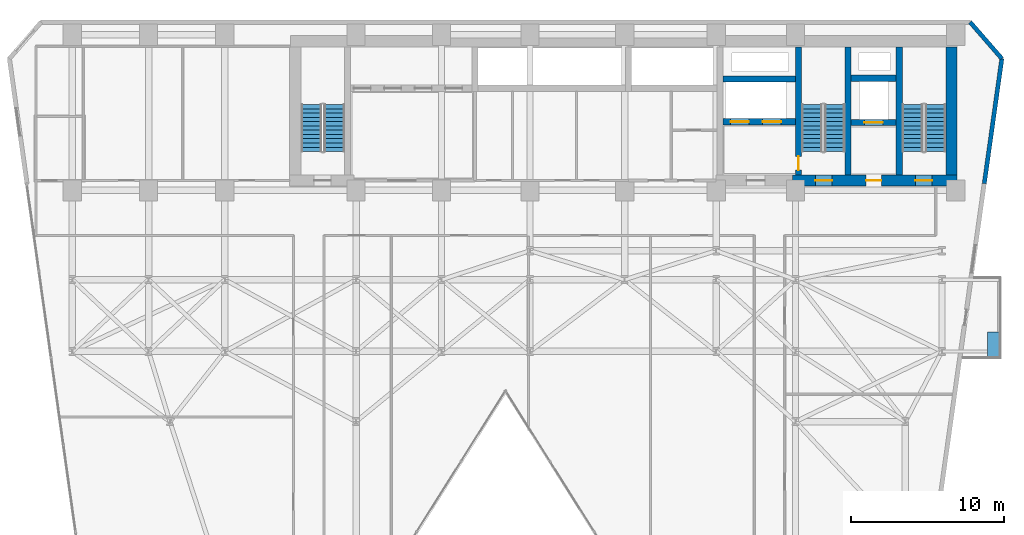
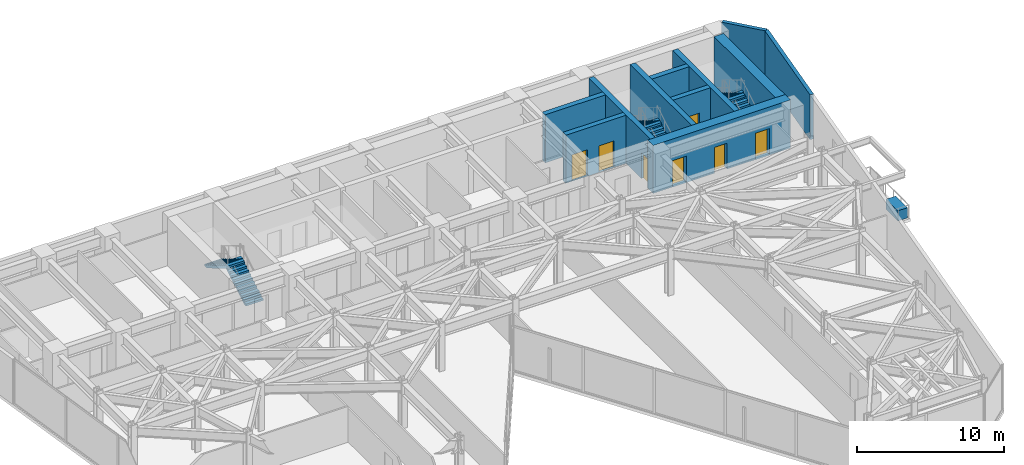
# One storey, part 21 of 24: 11 walls, 7 doors, 6 stair flights, 1 discrete accessory, 7 openings, 3 elements without a shape of their own.
"""IFC4 building model written with IfcOpenShell, lengths in metres."""

from ifc_helpers import new_model, si_unit, direction, frame, frame_2d, origin, origin_2d, place, context, subcontext, project, spatial, polyline, rectangle, outline, extrude, material, layer, layer_set, type_object, element, fill, aggregate, save


model = new_model("IFC4")

# Units and contexts
model_context = context("Model", 3, precision=1e-05, world=origin(), true_north=direction((0.0, 1.0)))
body_context = subcontext(model_context, "Body", "Model", "MODEL_VIEW")
ifc_project = project(units=[si_unit("LENGTHUNIT", "METRE"), si_unit("AREAUNIT", "SQUARE_METRE"), si_unit("VOLUMEUNIT", "CUBIC_METRE"), si_unit("PLANEANGLEUNIT", "RADIAN"), si_unit("MASSUNIT", "GRAM", prefix="KILO")], contexts=[model_context])

# Site, building, storey
site_placement = place(None, origin())
site = spatial("IfcSite", under=ifc_project, at=site_placement, CompositionType="ELEMENT")
building_placement = place(site_placement, origin())
building = spatial("IfcBuilding", under=site, at=building_placement, Name="Kravanh Interchange Tower", CompositionType="ELEMENT")
storey_placement = place(building_placement, frame((0.0, 0.0, 45.5)))
storey = spatial("IfcBuildingStorey", under=building, at=storey_placement, Name="L10", CompositionType="ELEMENT", Elevation=45.5)

# Walls
ifc_material_1 = material(Name="Concrete C80/95", Category="concrete")
ifc_layer_1 = layer(ifc_material_1, 0.39990234375)
ifc_layer_set_1 = layer_set([ifc_layer_1], Name="Core Shear Wall Concrete C80/95 400mm")
wall_type_1 = type_object("IfcWallType", Name="Core Shear Wall Concrete C80/95 400mm", PredefinedType="SHEAR", material=ifc_layer_set_1)
for number, where, z_axis, x_axis, name in (
    (1, (62.800048828125, 38.375, 0.0), (0.0, 0.0, 1.0), (0.0, 1.0, 0.0), "L10 Stair ST1 West Shear Wall"),
    (2, (59.449951171875, 38.375, 0.0), (0.0, 0.0, 1.0), (0.0, 1.0, 0.0), "L10 Stair ST2 East Shear Wall"),
):
    element("IfcWall", number, at=place(storey_placement, frame(where, z_axis=z_axis, x_axis=x_axis)), inside=storey, type_object=wall_type_1, Name=name, PredefinedType="SHEAR", context=body_context, shape_type="SweptSolid", body=[
        extrude(rectangle(XDim=8.375, YDim=0.39990234375, at=frame_2d((4.1875, 0.0))), origin(), (0.0, 0.0, 1.0), 4.0),
    ])

# Wall, opening, door
wall_1_placement = place(storey_placement, frame((56.199951171875, 38.375, 0.0), z_axis=(0.0, 0.0, 1.0), x_axis=(0.0, 1.0, 0.0)))
wall_1 = element("IfcWall", 3, at=wall_1_placement, inside=storey, type_object=wall_type_1, Name="L10 Stair ST2 West Shear Wall", PredefinedType="SHEAR", context=body_context, shape_type="SweptSolid", body=[
    extrude(rectangle(XDim=8.375, YDim=0.39990234375, at=frame_2d((4.1875, 0.0))), origin(), (0.0, 0.0, 1.0), 4.0),
])
opening_1_placement = place(wall_1_placement, frame((0.304931640625, 0.0, 0.0)))
opening_1 = element("IfcOpeningElement", 4, at=opening_1_placement, cuts=wall_1, Name="Opening D-STAIR-90", PredefinedType="OPENING", context=body_context, shape_type="SweptSolid", body=[
    extrude(rectangle(XDim=0.89990234375, YDim=2.14990234375, at=frame_2d((0.449951171875, 1.074951171875))), frame((0.0, 0.2099609375, 0.0), z_axis=(0.0, -1.0, 0.0), x_axis=(1.0, 0.0, 0.0)), (0.0, 0.0, 1.0), 0.419921875),
])
ifc_material_2 = material(Name="Structural Steel S355", Category="steel")
door_type_1 = type_object("IfcDoorType", Name="Fire-Rated Stair Lobby Door 900x2150", OperationType="NOTDEFINED", PredefinedType="DOOR", material=ifc_material_2)
door_1_placement = place(opening_1_placement, origin())
door_1 = element("IfcDoor", 5, at=door_1_placement, inside=storey, type_object=door_type_1, Name="L10 Firefighting Lobby to Stair ST2 Door", OperationType="SINGLE_SWING_LEFT", OverallHeight=2.14990234375, OverallWidth=0.89990234375, PredefinedType="DOOR", context=body_context, shape_type="SweptSolid", body=[
    extrude(rectangle(XDim=0.89990234375, YDim=2.14990234375, at=frame_2d((0.449951171875, 1.074951171875))), frame((0.0, 0.02490234375, 0.0), z_axis=(0.0, -1.0, 0.0), x_axis=(1.0, 0.0, 0.0)), (0.0, 0.0, 1.0), 0.050048828125),
])
fill(opening_1, door_1)

wall_2_placement = place(storey_placement, frame((59.64990234375, 41.800048828125, 0.0), z_axis=(0.0, 0.0, 1.0), x_axis=(1.0, 0.0, 0.0)))
wall_2 = element("IfcWall", 6, at=wall_2_placement, inside=storey, type_object=wall_type_1, Name="L10 Service Lift Shaft South Wall", PredefinedType="SHEAR", context=body_context, shape_type="SweptSolid", body=[
    extrude(rectangle(XDim=2.9501953125, YDim=0.39990234375, at=frame_2d((1.47509765625, 0.0))), origin(), (0.0, 0.0, 1.0), 4.0),
])
opening_2_placement = place(wall_2_placement, frame((0.8701171875, 0.0, 0.0)))
opening_2 = element("IfcOpeningElement", 7, at=opening_2_placement, cuts=wall_2, Name="Opening LD02", PredefinedType="OPENING", context=body_context, shape_type="SweptSolid", body=[
    extrude(rectangle(XDim=1.199951171875, YDim=2.199951171875, at=frame_2d((0.60009765625, 1.10009765625))), frame((0.0, 0.2099609375, 0.0), z_axis=(0.0, -1.0, 0.0), x_axis=(1.0, 0.0, 0.0)), (0.0, 0.0, 1.0), 0.419921875),
])
ifc_material_3 = material(Name="Stainless Steel 316", Category="steel")
door_type_2 = type_object("IfcDoorType", Name="Fire and Service Lift Sliding Landing Door 1200x2200", OperationType="DOUBLE_DOOR_SLIDING", PredefinedType="DOOR", material=ifc_material_3)
door_2_placement = place(opening_2_placement, origin())
door_2 = element("IfcDoor", 8, at=door_2_placement, inside=storey, type_object=door_type_2, Name="L10 Lift LS-01 Landing Door", OperationType="DOUBLE_DOOR_SLIDING", OverallHeight=2.199951171875, OverallWidth=1.199951171875, PredefinedType="DOOR", context=body_context, shape_type="SweptSolid", body=[
    extrude(rectangle(XDim=1.199951171875, YDim=2.199951171875, at=frame_2d((0.60009765625, 1.10009765625))), frame((0.0, 0.02490234375, 0.0), z_axis=(0.0, -1.0, 0.0), x_axis=(1.0, 0.0, 0.0)), (0.0, 0.0, 1.0), 0.050048828125),
])
fill(opening_2, door_2)

# Wall
wall_3_placement = place(storey_placement, frame((59.64990234375, 44.699951171875, 0.0), z_axis=(0.0, 0.0, 1.0), x_axis=(1.0, 0.0, 0.0)))
element("IfcWall", 9, at=wall_3_placement, inside=storey, type_object=wall_type_1, Name="L10 Service Lift Shaft North Wall", PredefinedType="SHEAR", context=body_context, shape_type="SweptSolid", body=[
    extrude(rectangle(XDim=2.9501953125, YDim=0.39990234375, at=frame_2d((1.47509765625, 0.0))), origin(), (0.0, 0.0, 1.0), 4.0),
])

# Wall, openings, doors
wall_4_placement = place(storey_placement, frame((51.25, 41.85009765625, 0.0), z_axis=(0.0, 0.0, 1.0), x_axis=(1.0, 0.0, 0.0)))
wall_4 = element("IfcWall", 10, at=wall_4_placement, inside=storey, type_object=wall_type_1, Name="L10 Fire Lift Shaft South Wall", PredefinedType="SHEAR", context=body_context, shape_type="SweptSolid", body=[
    extrude(rectangle(XDim=4.75, YDim=0.39990234375, at=frame_2d((2.375, 0.0))), origin(), (0.0, 0.0, 1.0), 4.0),
])
opening_3_placement = place(wall_4_placement, frame((0.5, 0.0, 0.0)))
opening_3 = element("IfcOpeningElement", 11, at=opening_3_placement, cuts=wall_4, Name="Opening LD02", PredefinedType="OPENING", context=body_context, shape_type="SweptSolid", body=[
    extrude(rectangle(XDim=1.199951171875, YDim=2.199951171875, at=frame_2d((0.60009765625, 1.10009765625))), frame((0.0, 0.2099609375, 0.0), z_axis=(0.0, -1.0, 0.0), x_axis=(1.0, 0.0, 0.0)), (0.0, 0.0, 1.0), 0.419921875),
])
opening_4_placement = place(wall_4_placement, frame((2.60009765625, 0.0, 0.0)))
opening_4 = element("IfcOpeningElement", 12, at=opening_4_placement, cuts=wall_4, Name="Opening LD02", PredefinedType="OPENING", context=body_context, shape_type="SweptSolid", body=[
    extrude(rectangle(XDim=1.199951171875, YDim=2.199951171875, at=frame_2d((0.60009765625, 1.10009765625))), frame((0.0, 0.2099609375, 0.0), z_axis=(0.0, -1.0, 0.0), x_axis=(1.0, 0.0, 0.0)), (0.0, 0.0, 1.0), 0.419921875),
])
door_3_placement = place(opening_3_placement, origin())
door_3 = element("IfcDoor", 13, at=door_3_placement, inside=storey, type_object=door_type_2, Name="L10 Lift FSAE-01 Landing Door", OperationType="DOUBLE_DOOR_SLIDING", OverallHeight=2.199951171875, OverallWidth=1.199951171875, PredefinedType="DOOR", context=body_context, shape_type="SweptSolid", body=[
    extrude(rectangle(XDim=1.199951171875, YDim=2.199951171875, at=frame_2d((0.60009765625, 1.10009765625))), frame((0.0, 0.02490234375, 0.0), z_axis=(0.0, -1.0, 0.0), x_axis=(1.0, 0.0, 0.0)), (0.0, 0.0, 1.0), 0.050048828125),
])
fill(opening_3, door_3)
door_4_placement = place(opening_4_placement, origin())
door_4 = element("IfcDoor", 14, at=door_4_placement, inside=storey, type_object=door_type_2, Name="L10 Lift FSAE-02 Landing Door", OperationType="DOUBLE_DOOR_SLIDING", OverallHeight=2.199951171875, OverallWidth=1.199951171875, PredefinedType="DOOR", context=body_context, shape_type="SweptSolid", body=[
    extrude(rectangle(XDim=1.199951171875, YDim=2.199951171875, at=frame_2d((0.60009765625, 1.10009765625))), frame((0.0, 0.02490234375, 0.0), z_axis=(0.0, -1.0, 0.0), x_axis=(1.0, 0.0, 0.0)), (0.0, 0.0, 1.0), 0.050048828125),
])
fill(opening_4, door_4)

# Wall
wall_5_placement = place(storey_placement, frame((51.25, 44.64990234375, 0.0), z_axis=(0.0, 0.0, 1.0), x_axis=(1.0, 0.0, 0.0)))
element("IfcWall", 15, at=wall_5_placement, inside=storey, type_object=wall_type_1, Name="L10 Fire Lift Shaft North Wall", PredefinedType="SHEAR", context=body_context, shape_type="SweptSolid", body=[
    extrude(rectangle(XDim=4.75, YDim=0.39990234375, at=frame_2d((2.375, 0.0))), origin(), (0.0, 0.0, 1.0), 4.0),
])

# Wall, openings, doors
ifc_material_4 = material(Name="Concrete C80/95", Category="concrete")
ifc_layer_2 = layer(ifc_material_4, 0.75)
ifc_layer_set_2 = layer_set([ifc_layer_2], Name="Core Shear Wall Concrete C80/95 750mm")
wall_type_2 = type_object("IfcWallType", Name="Core Shear Wall Concrete C80/95 750mm", PredefinedType="SHEAR", material=ifc_layer_set_2)
wall_6_placement = place(storey_placement, frame((55.800048828125, 38.0, 0.0), z_axis=(0.0, 0.0, 1.0), x_axis=(1.0, 0.0, 0.0)))
wall_6 = element("IfcWall", 16, at=wall_6_placement, inside=storey, type_object=wall_type_2, Name="L10 East Core South Shear Wall", PredefinedType="SHEAR", context=body_context, shape_type="SweptSolid", body=[
    extrude(rectangle(XDim=10.800048828125, YDim=0.75, at=frame_2d((5.39990234375, 0.0))), origin(), (0.0, 0.0, 1.0), 4.0),
])
opening_5_placement = place(wall_6_placement, frame((1.5, 0.0, 0.0)))
opening_5 = element("IfcOpeningElement", 17, at=opening_5_placement, cuts=wall_6, Name="Opening D-STAIR-110", PredefinedType="OPENING", context=body_context, shape_type="SweptSolid", body=[
    extrude(rectangle(XDim=1.10009765625, YDim=2.199951171875, at=frame_2d((0.550048828125, 1.10009765625))), frame((0.0, 0.385009765625, 0.0), z_axis=(0.0, -1.0, 0.0), x_axis=(1.0, 0.0, 0.0)), (0.0, 0.0, 1.0), 0.77001953125),
])
opening_6_placement = place(wall_6_placement, frame((4.820068359375, 0.0, 0.0)))
opening_6 = element("IfcOpeningElement", 18, at=opening_6_placement, cuts=wall_6, Name="Opening D-HOTEL-100", PredefinedType="OPENING", context=body_context, shape_type="SweptSolid", body=[
    extrude(rectangle(XDim=1.0, YDim=2.14990234375, at=frame_2d((0.5, 1.074951171875))), frame((0.0, 0.385009765625, 0.0), z_axis=(0.0, -1.0, 0.0), x_axis=(1.0, 0.0, 0.0)), (0.0, 0.0, 1.0), 0.77001953125),
])
opening_7_placement = place(wall_6_placement, frame((8.050048828125, 0.0, 0.0)))
opening_7 = element("IfcOpeningElement", 19, at=opening_7_placement, cuts=wall_6, Name="Opening D-STAIR-110", PredefinedType="OPENING", context=body_context, shape_type="SweptSolid", body=[
    extrude(rectangle(XDim=1.10009765625, YDim=2.199951171875, at=frame_2d((0.550048828125, 1.10009765625))), frame((0.0, 0.385009765625, 0.0), z_axis=(0.0, -1.0, 0.0), x_axis=(1.0, 0.0, 0.0)), (0.0, 0.0, 1.0), 0.77001953125),
])
ifc_material_5 = material(Name="Structural Steel S355", Category="steel")
door_type_3 = type_object("IfcDoorType", Name="Fire-Rated Exit Stair Door 1100x2200", OperationType="NOTDEFINED", PredefinedType="DOOR", material=ifc_material_5)
door_5_placement = place(opening_5_placement, origin())
door_5 = element("IfcDoor", 20, at=door_5_placement, inside=storey, type_object=door_type_3, Name="L10 Exit Stair ST2 Door", OperationType="SINGLE_SWING_RIGHT", OverallHeight=2.199951171875, OverallWidth=1.10009765625, PredefinedType="DOOR", context=body_context, shape_type="SweptSolid", body=[
    extrude(rectangle(XDim=1.10009765625, YDim=2.199951171875, at=frame_2d((0.550048828125, 1.10009765625))), frame((0.0, 0.02490234375, 0.0), z_axis=(0.0, -1.0, 0.0), x_axis=(1.0, 0.0, 0.0)), (0.0, 0.0, 1.0), 0.050048828125),
])
fill(opening_5, door_5)
door_6_placement = place(opening_7_placement, origin())
door_6 = element("IfcDoor", 21, at=door_6_placement, inside=storey, type_object=door_type_3, Name="L10 Exit Stair ST1 Door", OperationType="SINGLE_SWING_RIGHT", OverallHeight=2.199951171875, OverallWidth=1.10009765625, PredefinedType="DOOR", context=body_context, shape_type="SweptSolid", body=[
    extrude(rectangle(XDim=1.10009765625, YDim=2.199951171875, at=frame_2d((0.550048828125, 1.10009765625))), frame((0.0, 0.02490234375, 0.0), z_axis=(0.0, -1.0, 0.0), x_axis=(1.0, 0.0, 0.0)), (0.0, 0.0, 1.0), 0.050048828125),
])
fill(opening_7, door_6)
ifc_material_6 = material(Name="Fire-Rated Solid Timber Leaf", Category="wood")
door_type_4 = type_object("IfcDoorType", Name="Fire-Rated Suite Entrance Door 1000x2150", OperationType="NOTDEFINED", PredefinedType="DOOR", material=ifc_material_6)
door_7_placement = place(opening_6_placement, origin())
door_7 = element("IfcDoor", 22, at=door_7_placement, inside=storey, type_object=door_type_4, Name="L10 Service Lift Lobby Door", OperationType="SINGLE_SWING_RIGHT", OverallHeight=2.14990234375, OverallWidth=1.0, PredefinedType="DOOR", context=body_context, shape_type="SweptSolid", body=[
    extrude(rectangle(XDim=1.0, YDim=2.14990234375, at=frame_2d((0.5, 1.074951171875))), frame((0.0, 0.02490234375, 0.0), z_axis=(0.0, -1.0, 0.0), x_axis=(1.0, 0.0, 0.0)), (0.0, 0.0, 1.0), 0.050048828125),
])
fill(opening_6, door_7)

# Walls
wall_7_placement = place(storey_placement, frame((66.22509765625, 38.375, 0.0), z_axis=(0.0, 0.0, 1.0), x_axis=(0.0, 1.0, 0.0)))
element("IfcWall", 23, at=wall_7_placement, inside=storey, type_object=wall_type_2, Name="L10 Stair ST1 East Shear Wall", PredefinedType="SHEAR", context=body_context, shape_type="SweptSolid", body=[
    extrude(rectangle(XDim=8.375, YDim=0.75, at=frame_2d((4.1875, 0.0))), origin(), (0.0, 0.0, 1.0), 4.0),
])
ifc_material_7 = material(Name="Insulated Precast Concrete C40/50 with Bronze Cladding", Category="concrete")
ifc_layer_3 = layer(ifc_material_7, 0.280029296875)
ifc_layer_set_3 = layer_set([ifc_layer_3], Name="Exterior Insulated Concrete C40/50 Bronze Spandrel Wall 280mm")
wall_type_3 = type_object("IfcWallType", Name="Exterior Insulated Concrete C40/50 Bronze Spandrel Wall 280mm", PredefinedType="STANDARD", material=ifc_layer_set_3)
wall_8_placement = place(storey_placement, frame((67.4453125, 48.3798828125, 0.0), z_axis=(0.0, 0.0, 1.0), x_axis=(0.656070053895, -0.754699996278, 0.0)))
element("IfcWall", 24, at=wall_8_placement, inside=storey, type_object=wall_type_3, Name="L10 Exterior Wall 4", PredefinedType="STANDARD", context=body_context, shape_type="SweptSolid", body=[
    extrude(rectangle(XDim=3.1708984375, YDim=0.280029296875, at=frame_2d((1.58544921875, 0.0))), origin(), (0.0, 0.0, 1.0), 3.739990234375),
])
wall_9_placement = place(storey_placement, frame((69.525634765625, 45.98681640625, 0.0), z_axis=(0.0, 0.0, 1.0), x_axis=(-0.139180172484, -0.990267074878, 0.0)))
element("IfcWall", 25, at=wall_9_placement, inside=storey, type_object=wall_type_3, Name="L10 Exterior Wall 5", PredefinedType="STANDARD", context=body_context, shape_type="SweptSolid", body=[
    extrude(rectangle(XDim=8.267333984375, YDim=0.280029296875, at=frame_2d((4.1337890625, 0.0))), origin(), (0.0, 0.0, 1.0), 3.739990234375),
])

# Stair, stair flights
ifc_material_8 = material(Name="Concrete C50/60", Category="concrete")
stair_type = type_object("IfcStairType", Name="Core Fire Exit Dogleg Stair Concrete C50/60", PredefinedType="HALF_TURN_STAIR", material=ifc_material_8)
stair_1_placement = place(storey_placement, origin())
stair_1 = element("IfcStair", 26, at=stair_1_placement, inside=storey, type_object=stair_type, Name="L10 Exit Stair ST1", PredefinedType="HALF_TURN_STAIR")
ifc_material_9 = material(Name="Precast Concrete C50/60", Category="concrete")
ifc_layer_4 = layer(ifc_material_9, 0.199951171875)
ifc_layer_set_4 = layer_set([ifc_layer_4], Name="Precast Concrete C50/60 Stair Flight 1350mm")
stair_flight_type = type_object("IfcStairFlightType", Name="Precast Concrete C50/60 Stair Flight 1350mm", PredefinedType="STRAIGHT", material=ifc_layer_set_4)
stair_flight_1_placement = place(storey_placement, frame((65.175048828125, 39.89990234375, 0.0), z_axis=(0.0, 0.0, 1.0), x_axis=(0.0, 1.0, 0.0)))
stair_flight_1 = element("IfcStairFlight", 27, at=stair_flight_1_placement, type_object=stair_flight_type, Name="ST1 flight 1", NumberOfRisers=12, NumberOfTreads=11, PredefinedType="STRAIGHT", RiserHeight=0.166666667, TreadLength=0.28, context=body_context, shape_type="SweptSolid", body=[
    extrude(outline(polyline([(0.0, 0.0), (0.0, 0.166748046875), (0.280029296875, 0.166748046875), (0.280029296875, 0.333251953125), (0.56005859375, 0.333251953125), (0.56005859375, 0.5), (0.840087890625, 0.5), (0.840087890625, 0.666748046875), (1.1201171875, 0.666748046875), (1.1201171875, 0.833251953125), (1.39990234375, 0.833251953125), (1.39990234375, 1.0), (1.679931640625, 1.0), (1.679931640625, 1.166748046875), (1.9599609375, 1.166748046875), (1.9599609375, 1.333251953125), (2.239990234375, 1.333251953125), (2.239990234375, 1.5), (2.52001953125, 1.5), (2.52001953125, 1.666748046875), (2.800048828125, 1.666748046875), (2.800048828125, 1.833251953125), (3.080078125, 1.833251953125), (3.080078125, 2.0), (3.080078125, 1.658935546875), (0.29296875, 0.0), (0.0, 0.0)])), frame((0.0, 0.675048828125, 0.0), z_axis=(0.0, -1.0, 0.0), x_axis=(1.0, 0.0, 0.0)), (0.0, 0.0, 1.0), 1.35009765625),
])
stair_flight_2_placement = place(storey_placement, frame((63.675048828125, 42.97998046875, 2.0), z_axis=(0.0, 0.0, 1.0), x_axis=(0.0, -1.0, 0.0)))
stair_flight_2 = element("IfcStairFlight", 28, at=stair_flight_2_placement, type_object=stair_flight_type, Name="ST1 flight 2", NumberOfRisers=12, NumberOfTreads=11, PredefinedType="STRAIGHT", RiserHeight=0.166666667, TreadLength=0.28, context=body_context, shape_type="SweptSolid", body=[
    extrude(outline(polyline([(0.0, 0.0), (0.0, 0.166748046875), (0.280029296875, 0.166748046875), (0.280029296875, 0.333251953125), (0.56005859375, 0.333251953125), (0.56005859375, 0.5), (0.840087890625, 0.5), (0.840087890625, 0.666748046875), (1.1201171875, 0.666748046875), (1.1201171875, 0.833251953125), (1.39990234375, 0.833251953125), (1.39990234375, 1.0), (1.679931640625, 1.0), (1.679931640625, 1.166748046875), (1.9599609375, 1.166748046875), (1.9599609375, 1.333251953125), (2.239990234375, 1.333251953125), (2.239990234375, 1.5), (2.52001953125, 1.5), (2.52001953125, 1.666748046875), (2.800048828125, 1.666748046875), (2.800048828125, 1.833251953125), (3.080078125, 1.833251953125), (3.080078125, 2.0), (3.080078125, 1.658935546875), (0.29296875, 0.0), (0.0, 0.0)])), frame((0.0, 0.675048828125, 0.0), z_axis=(0.0, -1.0, 0.0), x_axis=(1.0, 0.0, 0.0)), (0.0, 0.0, 1.0), 1.35009765625),
])
aggregate(stair_1, [stair_flight_1, stair_flight_2])

stair_2_placement = place(storey_placement, origin())
stair_2 = element("IfcStair", 29, at=stair_2_placement, inside=storey, type_object=stair_type, Name="L10 Exit Stair ST2", PredefinedType="HALF_TURN_STAIR")
stair_flight_3_placement = place(storey_placement, frame((58.574951171875, 39.89990234375, 0.0), z_axis=(0.0, 0.0, 1.0), x_axis=(0.0, 1.0, 0.0)))
stair_flight_3 = element("IfcStairFlight", 30, at=stair_flight_3_placement, type_object=stair_flight_type, Name="ST2 flight 1", NumberOfRisers=12, NumberOfTreads=11, PredefinedType="STRAIGHT", RiserHeight=0.166666667, TreadLength=0.28, context=body_context, shape_type="SweptSolid", body=[
    extrude(outline(polyline([(0.0, 0.0), (0.0, 0.166748046875), (0.280029296875, 0.166748046875), (0.280029296875, 0.333251953125), (0.56005859375, 0.333251953125), (0.56005859375, 0.5), (0.840087890625, 0.5), (0.840087890625, 0.666748046875), (1.1201171875, 0.666748046875), (1.1201171875, 0.833251953125), (1.39990234375, 0.833251953125), (1.39990234375, 1.0), (1.679931640625, 1.0), (1.679931640625, 1.166748046875), (1.9599609375, 1.166748046875), (1.9599609375, 1.333251953125), (2.239990234375, 1.333251953125), (2.239990234375, 1.5), (2.52001953125, 1.5), (2.52001953125, 1.666748046875), (2.800048828125, 1.666748046875), (2.800048828125, 1.833251953125), (3.080078125, 1.833251953125), (3.080078125, 2.0), (3.080078125, 1.658935546875), (0.29296875, 0.0), (0.0, 0.0)])), frame((0.0, 0.675048828125, 0.0), z_axis=(0.0, -1.0, 0.0), x_axis=(1.0, 0.0, 0.0)), (0.0, 0.0, 1.0), 1.35009765625),
])
stair_flight_4_placement = place(storey_placement, frame((57.074951171875, 42.97998046875, 2.0), z_axis=(0.0, 0.0, 1.0), x_axis=(0.0, -1.0, 0.0)))
stair_flight_4 = element("IfcStairFlight", 31, at=stair_flight_4_placement, type_object=stair_flight_type, Name="ST2 flight 2", NumberOfRisers=12, NumberOfTreads=11, PredefinedType="STRAIGHT", RiserHeight=0.166666667, TreadLength=0.28, context=body_context, shape_type="SweptSolid", body=[
    extrude(outline(polyline([(0.0, 0.0), (0.0, 0.166748046875), (0.280029296875, 0.166748046875), (0.280029296875, 0.333251953125), (0.56005859375, 0.333251953125), (0.56005859375, 0.5), (0.840087890625, 0.5), (0.840087890625, 0.666748046875), (1.1201171875, 0.666748046875), (1.1201171875, 0.833251953125), (1.39990234375, 0.833251953125), (1.39990234375, 1.0), (1.679931640625, 1.0), (1.679931640625, 1.166748046875), (1.9599609375, 1.166748046875), (1.9599609375, 1.333251953125), (2.239990234375, 1.333251953125), (2.239990234375, 1.5), (2.52001953125, 1.5), (2.52001953125, 1.666748046875), (2.800048828125, 1.666748046875), (2.800048828125, 1.833251953125), (3.080078125, 1.833251953125), (3.080078125, 2.0), (3.080078125, 1.658935546875), (0.29296875, 0.0), (0.0, 0.0)])), frame((0.0, 0.675048828125, 0.0), z_axis=(0.0, -1.0, 0.0), x_axis=(1.0, 0.0, 0.0)), (0.0, 0.0, 1.0), 1.35009765625),
])
aggregate(stair_2, [stair_flight_3, stair_flight_4])

stair_3_placement = place(storey_placement, origin())
stair_3 = element("IfcStair", 32, at=stair_3_placement, inside=storey, type_object=stair_type, Name="L10 Exit Stair ST3", PredefinedType="HALF_TURN_STAIR")
stair_flight_5_placement = place(storey_placement, frame((25.77490234375, 39.89990234375, 0.0), z_axis=(0.0, 0.0, 1.0), x_axis=(0.0, 1.0, 0.0)))
stair_flight_5 = element("IfcStairFlight", 33, at=stair_flight_5_placement, type_object=stair_flight_type, Name="ST3 flight 1", NumberOfRisers=12, NumberOfTreads=11, PredefinedType="STRAIGHT", RiserHeight=0.166666667, TreadLength=0.28, context=body_context, shape_type="SweptSolid", body=[
    extrude(outline(polyline([(0.0, 0.0), (0.0, 0.166748046875), (0.280029296875, 0.166748046875), (0.280029296875, 0.333251953125), (0.56005859375, 0.333251953125), (0.56005859375, 0.5), (0.840087890625, 0.5), (0.840087890625, 0.666748046875), (1.1201171875, 0.666748046875), (1.1201171875, 0.833251953125), (1.39990234375, 0.833251953125), (1.39990234375, 1.0), (1.679931640625, 1.0), (1.679931640625, 1.166748046875), (1.9599609375, 1.166748046875), (1.9599609375, 1.333251953125), (2.239990234375, 1.333251953125), (2.239990234375, 1.5), (2.52001953125, 1.5), (2.52001953125, 1.666748046875), (2.800048828125, 1.666748046875), (2.800048828125, 1.833251953125), (3.080078125, 1.833251953125), (3.080078125, 2.0), (3.080078125, 1.658935546875), (0.29296875, 0.0), (0.0, 0.0)])), frame((0.0, 0.675048828125, 0.0), z_axis=(0.0, -1.0, 0.0), x_axis=(1.0, 0.0, 0.0)), (0.0, 0.0, 1.0), 1.35009765625),
])
stair_flight_6_placement = place(storey_placement, frame((24.27490234375, 42.97998046875, 2.0), z_axis=(0.0, 0.0, 1.0), x_axis=(0.0, -1.0, 0.0)))
stair_flight_6 = element("IfcStairFlight", 34, at=stair_flight_6_placement, type_object=stair_flight_type, Name="ST3 flight 2", NumberOfRisers=12, NumberOfTreads=11, PredefinedType="STRAIGHT", RiserHeight=0.166666667, TreadLength=0.28, context=body_context, shape_type="SweptSolid", body=[
    extrude(outline(polyline([(0.0, 0.0), (0.0, 0.166748046875), (0.280029296875, 0.166748046875), (0.280029296875, 0.333251953125), (0.56005859375, 0.333251953125), (0.56005859375, 0.5), (0.840087890625, 0.5), (0.840087890625, 0.666748046875), (1.1201171875, 0.666748046875), (1.1201171875, 0.833251953125), (1.39990234375, 0.833251953125), (1.39990234375, 1.0), (1.679931640625, 1.0), (1.679931640625, 1.166748046875), (1.9599609375, 1.166748046875), (1.9599609375, 1.333251953125), (2.239990234375, 1.333251953125), (2.239990234375, 1.5), (2.52001953125, 1.5), (2.52001953125, 1.666748046875), (2.800048828125, 1.666748046875), (2.800048828125, 1.833251953125), (3.080078125, 1.833251953125), (3.080078125, 2.0), (3.080078125, 1.658935546875), (0.29296875, 0.0), (0.0, 0.0)])), frame((0.0, 0.675048828125, 0.0), z_axis=(0.0, -1.0, 0.0), x_axis=(1.0, 0.0, 0.0)), (0.0, 0.0, 1.0), 1.35009765625),
])
aggregate(stair_3, [stair_flight_5, stair_flight_6])

# Discrete accessory
ifc_material_10 = material(Name="Architectural GRC Concrete C40/50 with Root Barrier", Category="concrete")
discrete_accessory_type = type_object("IfcDiscreteAccessoryType", Name="Structural Balcony Tree Planter Box Concrete C40/50 1600x750x850", PredefinedType="USERDEFINED", material=ifc_material_10)
discrete_accessory_placement = place(storey_placement, frame((68.969970703125, 27.260009765625, 0.0), z_axis=(0.0, 0.0, 1.0), x_axis=(1.0, 0.0, 0.0)))
element("IfcDiscreteAccessory", 35, at=discrete_accessory_placement, inside=storey, type_object=discrete_accessory_type, Name="L10 E Balcony TREE PLANTER", ObjectType="PLANTER", PredefinedType="USERDEFINED", context=body_context, shape_type="SweptSolid", body=[
    extrude(rectangle(XDim=0.75, YDim=1.60009765625, at=origin_2d()), origin(), (0.0, 0.0, 1.0), 0.85009765625),
])

save(model, "model.ifc")
